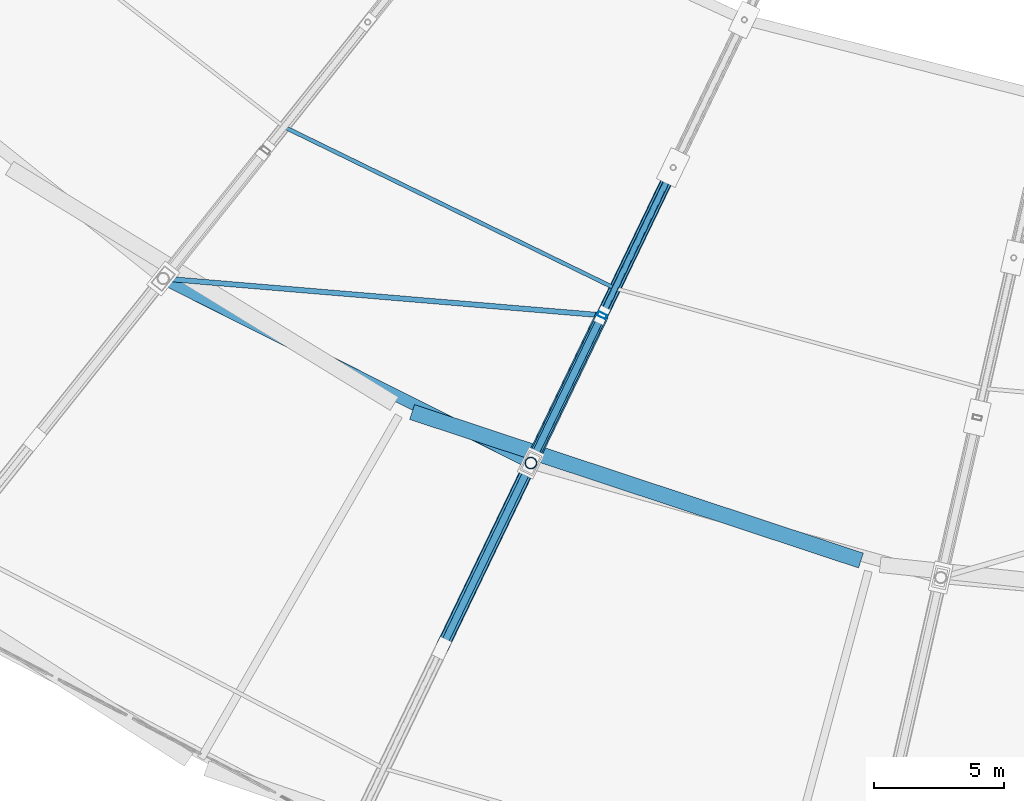
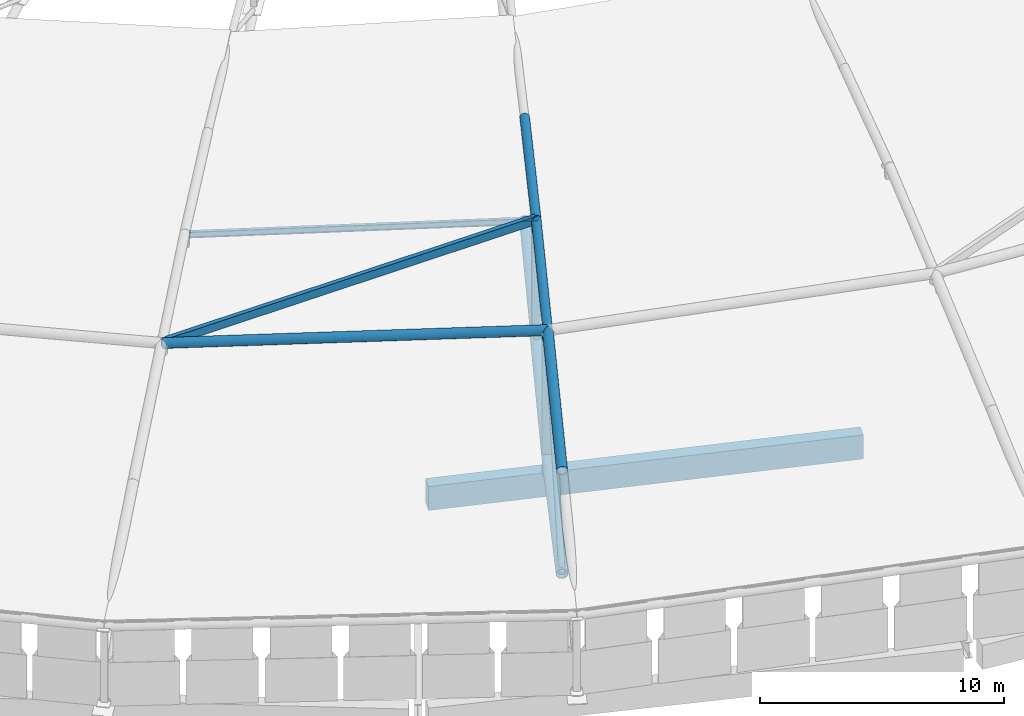
# One storey, part 5 of 108: 14 members, 1 beam.
"""IFC4 building model written with IfcOpenShell, lengths in metres."""

from ifc_helpers import new_model, si_unit, direction, frame, origin, origin_2d, place, context, subcontext, project, spatial, rectangle, hollow_rectangle, hollow_circle, i_section, extrude, material, material_profile, profile_set, type_object, element, save


model = new_model("IFC4")

# Units and contexts
model_context = context("Model", 3, precision=1e-05, world=origin(), true_north=direction((0.0, 1.0)))
body_context = subcontext(model_context, "Body", "Model", "MODEL_VIEW")
ifc_project = project(units=[si_unit("LENGTHUNIT", "METRE"), si_unit("AREAUNIT", "SQUARE_METRE"), si_unit("VOLUMEUNIT", "CUBIC_METRE"), si_unit("PLANEANGLEUNIT", "RADIAN"), si_unit("MASSUNIT", "GRAM", prefix="KILO")], contexts=[model_context])

# Site, building, storey
site_placement = place(None, origin())
site = spatial("IfcSite", under=ifc_project, at=site_placement, CompositionType="ELEMENT")
building_placement = place(site_placement, origin())
building = spatial("IfcBuilding", under=site, at=building_placement, Name="Zevraka Park Crest Stadium", CompositionType="ELEMENT")
storey_placement = place(building_placement, frame((0.0, 0.0, 29.39990234375)))
storey = spatial("IfcBuildingStorey", under=building, at=storey_placement, Name="RF", CompositionType="ELEMENT", Elevation=29.39990234375)

# Member
ifc_material_1 = material(Name="Steel S355", Category="steel")
ifc_material_profile_1 = material_profile(ifc_material_1, i_section(OverallWidth=0.14990234375, OverallDepth=0.300048828125, WebThickness=0.007080078125, FlangeThickness=0.0107421875, at=origin_2d()), Name="IPE 300")
ifc_profile_set_1 = profile_set([ifc_material_profile_1], Name="Steel S355")
member_type_1 = type_object("IfcMemberType", Name="PR02", PredefinedType="PURLIN", material=ifc_profile_set_1)
member_1_placement = place(storey_placement, frame((70.194091796875, 51.304931640625, 7.47314453125), z_axis=(0.898795149856, -0.438368884154, 0.0), x_axis=(0.438368884154, 0.898795149856, 0.0)))
element("IfcMember", 1, at=member_1_placement, inside=storey, type_object=member_type_1, Name="Canopy Roof Purlin PR02 OUTER-19-2", PredefinedType="PURLIN", context=body_context, shape_type="SweptSolid", body=[
    extrude(i_section(OverallWidth=0.14990234375, OverallDepth=0.300048828125, WebThickness=0.007080078125, FlangeThickness=0.0107421875, at=origin_2d()), origin(), (0.0, 0.0, 1.0), 14.1455078125),
])

# Beam
ifc_material_2 = material(Name="Concrete C40/50", Category="concrete")
ifc_material_profile_2 = material_profile(ifc_material_2, rectangle(XDim=0.60009765625, YDim=1.199951171875, at=origin_2d()), Name="RC 1200x600")
ifc_profile_set_2 = profile_set([ifc_material_profile_2], Name="Concrete C40/50")
beam_type = type_object("IfcBeamType", Name="RB01", PredefinedType="BEAM", material=ifc_profile_set_2)
beam_placement = place(storey_placement, frame((75.111083984375, 40.35205078125, -0.599853515625), z_axis=(0.949383863235, -0.314118258349, 0.0), x_axis=(0.314118258349, 0.949383863235, 0.0)))
element("IfcBeam", 2, at=beam_placement, inside=storey, type_object=beam_type, Name="Ring Beam RB01 RF-B-16", PredefinedType="BEAM", context=body_context, shape_type="SweptSolid", body=[
    extrude(rectangle(XDim=0.60009765625, YDim=1.199951171875, at=origin_2d()), origin(), (0.0, 0.0, 1.0), 18.165283203125),
])

# Members
ifc_material_3 = material(Name="Steel S355", Category="steel")
ifc_material_profile_3 = material_profile(ifc_material_3, hollow_circle(Radius=0.25390625, WallThickness=0.030029296875, at=origin_2d()), Name="CHS 508.0x30")
ifc_profile_set_3 = profile_set([ifc_material_profile_3], Name="Steel S355")
member_type_2 = type_object("IfcMemberType", Name="TC01", PredefinedType="CHORD", material=ifc_profile_set_3)
member_2_placement = place(storey_placement, frame((76.248046875, 31.27490234375, 0.550048828125), z_axis=(0.433511827755, 0.900059597088, 0.044274336657), x_axis=(-0.900943052133, 0.433937342035, 0.0)))
element("IfcMember", 3, at=member_2_placement, inside=storey, type_object=member_type_2, Name="Roof Truss Bottom Chord TC01 T20-2", PredefinedType="CHORD", context=body_context, shape_type="SweptSolid", body=[
    extrude(hollow_circle(Radius=0.25390625, WallThickness=0.030029296875, at=origin_2d()), origin(), (0.0, 0.0, 1.0), 7.907470703125),
])
member_3_placement = place(storey_placement, frame((79.676025390625, 38.39208984375, 0.900146484375), z_axis=(0.42125253648, 0.874906219459, 0.238925527435), x_axis=(-0.901001108726, 0.433816783994, 0.0)))
element("IfcMember", 4, at=member_3_placement, inside=storey, type_object=member_type_2, Name="Roof Truss Bottom Chord TC01 T20-3", PredefinedType="CHORD", context=body_context, shape_type="SweptSolid", body=[
    extrude(hollow_circle(Radius=0.25390625, WallThickness=0.030029296875, at=origin_2d()), origin(), (0.0, 0.0, 1.0), 6.487548828125),
])
ifc_material_4 = material(Name="Steel S355", Category="steel")
ifc_material_profile_4 = material_profile(ifc_material_4, hollow_circle(Radius=0.228515625, WallThickness=0.02490234375, at=origin_2d()), Name="CHS 457.0x25")
ifc_profile_set_4 = profile_set([ifc_material_profile_4], Name="Steel S355")
member_type_3 = type_object("IfcMemberType", Name="TC02", PredefinedType="CHORD", material=ifc_profile_set_4)
member_4_placement = place(storey_placement, frame((79.676025390625, 38.39208984375, 0.0), z_axis=(0.0, 0.0, 1.0), x_axis=(0.43381634559, 0.90100131981, 0.0)))
element("IfcMember", 5, at=member_4_placement, inside=storey, type_object=member_type_3, Name="Roof Truss Anchor Strut TC02 T20-2", PredefinedType="CHORD", context=body_context, shape_type="SweptSolid", body=[
    extrude(hollow_circle(Radius=0.228515625, WallThickness=0.02490234375, at=origin_2d()), origin(), (0.0, 0.0, 1.0), 7.2001953125),
])
member_5_placement = place(storey_placement, frame((76.248046875, 31.27490234375, 5.7001953125), z_axis=(0.426320000783, 0.885127887104, 0.186547260509), x_axis=(-0.900943052133, 0.433937342035, 0.0)))
element("IfcMember", 6, at=member_5_placement, inside=storey, type_object=member_type_3, Name="Roof Truss Top Chord TC02 T20-2", PredefinedType="CHORD", context=body_context, shape_type="SweptSolid", body=[
    extrude(hollow_circle(Radius=0.228515625, WallThickness=0.02490234375, at=origin_2d()), origin(), (0.0, 0.0, 1.0), 8.040771484375),
])
member_6_placement = place(storey_placement, frame((82.408935546875, 44.068115234375, 2.4501953125), z_axis=(0.422117665137, 0.876462368732, 0.231582367586), x_axis=(-0.900954548252, 0.433913472923, 0.0)))
element("IfcMember", 7, at=member_6_placement, inside=storey, type_object=member_type_3, Name="Roof Truss Bottom Chord TC02 T20-4", PredefinedType="CHORD", context=body_context, shape_type="SweptSolid", body=[
    extrude(hollow_circle(Radius=0.228515625, WallThickness=0.02490234375, at=origin_2d()), origin(), (0.0, 0.0, 1.0), 6.477294921875),
])
member_7_placement = place(storey_placement, frame((65.550048828125, 45.48095703125, 7.2001953125), z_axis=(0.893771273237, -0.448523033006, 0.0), x_axis=(0.448523033006, 0.893771273237, 0.0)))
element("IfcMember", 8, at=member_7_placement, inside=storey, type_object=member_type_3, Name="Roof Main Bowl-Rim Ring Chord TC02 19", PredefinedType="CHORD", context=body_context, shape_type="SweptSolid", body=[
    extrude(hollow_circle(Radius=0.228515625, WallThickness=0.02490234375, at=origin_2d()), origin(), (0.0, 0.0, 1.0), 15.804931640625),
])
ifc_material_5 = material(Name="Steel S355", Category="steel")
ifc_material_profile_5 = material_profile(ifc_material_5, hollow_circle(Radius=0.203125, WallThickness=0.02001953125, at=origin_2d()), Name="CHS 406.4x20")
ifc_profile_set_5 = profile_set([ifc_material_profile_5], Name="Steel S355")
member_type_4 = type_object("IfcMemberType", Name="TC03", PredefinedType="CHORD", material=ifc_profile_set_5)
member_8_placement = place(storey_placement, frame((79.676025390625, 38.39208984375, 7.2001953125), z_axis=(0.426765469753, 0.886356119911, 0.179566317897), x_axis=(-0.901001108726, 0.433816783994, 0.0)))
element("IfcMember", 9, at=member_8_placement, inside=storey, type_object=member_type_4, Name="Roof Truss Top Chord TC03 T20-3", PredefinedType="CHORD", context=body_context, shape_type="SweptSolid", body=[
    extrude(hollow_circle(Radius=0.203125, WallThickness=0.02001953125, at=origin_2d()), origin(), (0.0, 0.0, 1.0), 6.40380859375),
])
member_9_placement = place(storey_placement, frame((82.408935546875, 44.068115234375, 8.35009765625), z_axis=(0.431260825212, 0.895446733517, 0.110404927751), x_axis=(-0.900954548252, 0.433913472923, 0.0)))
element("IfcMember", 10, at=member_9_placement, inside=storey, type_object=member_type_4, Name="Roof Truss Top Chord TC03 T20-4", PredefinedType="CHORD", context=body_context, shape_type="SweptSolid", body=[
    extrude(hollow_circle(Radius=0.203125, WallThickness=0.02001953125, at=origin_2d()), origin(), (0.0, 0.0, 1.0), 6.33984375),
])
ifc_material_6 = material(Name="Steel S355", Category="steel")
ifc_material_profile_6 = material_profile(ifc_material_6, hollow_circle(Radius=0.136474609375, WallThickness=0.012451171875, at=origin_2d()), Name="CHS 273.0x12.5")
ifc_profile_set_6 = profile_set([ifc_material_profile_6], Name="Steel S355")
member_type_5 = type_object("IfcMemberType", Name="WB01", PredefinedType="BRACE", material=ifc_profile_set_6)
member_10_placement = place(storey_placement, frame((76.248046875, 31.27490234375, 0.550048828125), z_axis=(0.331969899327, 0.689237697114, 0.644008837531), x_axis=(-0.900943052133, 0.433937342035, 0.0)))
element("IfcMember", 11, at=member_10_placement, inside=storey, type_object=member_type_5, Name="Roof Truss Web Diagonal WB01 T20-2", PredefinedType="BRACE", context=body_context, shape_type="SweptSolid", body=[
    extrude(hollow_circle(Radius=0.136474609375, WallThickness=0.012451171875, at=origin_2d()), origin(), (0.0, 0.0, 1.0), 10.326171875),
])
member_11_placement = place(storey_placement, frame((82.408935546875, 44.068115234375, 2.4501953125), z_axis=(-0.346386288521, -0.719415295857, 0.602044991019), x_axis=(0.901001108726, -0.433816783994, 0.0)))
element("IfcMember", 12, at=member_11_placement, inside=storey, type_object=member_type_5, Name="Roof Truss Web Diagonal WB01 T20-3", PredefinedType="BRACE", context=body_context, shape_type="SweptSolid", body=[
    extrude(hollow_circle(Radius=0.136474609375, WallThickness=0.012451171875, at=origin_2d()), origin(), (0.0, 0.0, 1.0), 7.889892578125),
])
ifc_material_7 = material(Name="Steel S355", Category="steel")
ifc_material_profile_7 = material_profile(ifc_material_7, hollow_rectangle(XDim=0.199951171875, YDim=0.39990234375, WallThickness=0.01611328125, at=origin_2d()), Name="RHS 400x200x16")
ifc_profile_set_7 = profile_set([ifc_material_profile_7], Name="Steel S355")
member_type_6 = type_object("IfcMemberType", Name="WB06", PredefinedType="BRACE", material=ifc_profile_set_7)
member_12_placement = place(storey_placement, frame((65.550048828125, 45.48095703125, 7.2001953125), z_axis=(0.994212941194, -0.083319000937, 0.067812769036), x_axis=(0.083511238402, 0.996506835431, 0.0)))
element("IfcMember", 13, at=member_12_placement, inside=storey, type_object=member_type_6, Name="Canopy Roof Wind Brace WB06 19", PredefinedType="BRACE", context=body_context, shape_type="SweptSolid", body=[
    extrude(hollow_rectangle(XDim=0.199951171875, YDim=0.39990234375, WallThickness=0.01611328125, at=origin_2d()), origin(), (0.0, 0.0, 1.0), 16.95703125),
])
ifc_material_8 = material(Name="Steel S355", Category="steel")
ifc_material_profile_8 = material_profile(ifc_material_8, hollow_circle(Radius=0.122314453125, WallThickness=0.012451171875, at=origin_2d()), Name="CHS 244.5x12.5")
ifc_profile_set_8 = profile_set([ifc_material_profile_8], Name="Steel S355")
member_type_7 = type_object("IfcMemberType", Name="WB07", PredefinedType="BRACE", material=ifc_profile_set_8)
member_13_placement = place(storey_placement, frame((85.14306640625, 49.7451171875, 3.9501953125), z_axis=(-0.355763738471, -0.738688651725, 0.572513089983), x_axis=(0.900954548252, -0.433913472923, 0.0)))
element("IfcMember", 14, at=member_13_placement, inside=storey, type_object=member_type_7, Name="Roof Truss Web Diagonal WB07 T20-4", PredefinedType="BRACE", context=body_context, shape_type="SweptSolid", body=[
    extrude(hollow_circle(Radius=0.122314453125, WallThickness=0.012451171875, at=origin_2d()), origin(), (0.0, 0.0, 1.0), 7.685302734375),
])
ifc_material_9 = material(Name="Steel S355", Category="steel")
ifc_material_profile_9 = material_profile(ifc_material_9, hollow_rectangle(XDim=0.175048828125, YDim=0.35009765625, WallThickness=0.012451171875, at=origin_2d()), Name="RHS 350x175x12.5")
ifc_profile_set_9 = profile_set([ifc_material_profile_9], Name="Steel S355")
member_type_8 = type_object("IfcMemberType", Name="WB09", PredefinedType="BRACE", material=ifc_profile_set_9)
member_14_placement = place(storey_placement, frame((82.408935546875, 44.068115234375, 2.4501953125), z_axis=(0.0, 0.0, 1.0), x_axis=(0.43381634559, 0.90100131981, 0.0)))
element("IfcMember", 15, at=member_14_placement, inside=storey, type_object=member_type_8, Name="Roof Truss Web Post WB09 T20-3", PredefinedType="BRACE", context=body_context, shape_type="SweptSolid", body=[
    extrude(hollow_rectangle(XDim=0.175048828125, YDim=0.35009765625, WallThickness=0.012451171875, at=origin_2d()), origin(), (0.0, 0.0, 1.0), 5.89990234375),
])

save(model, "model.ifc")
